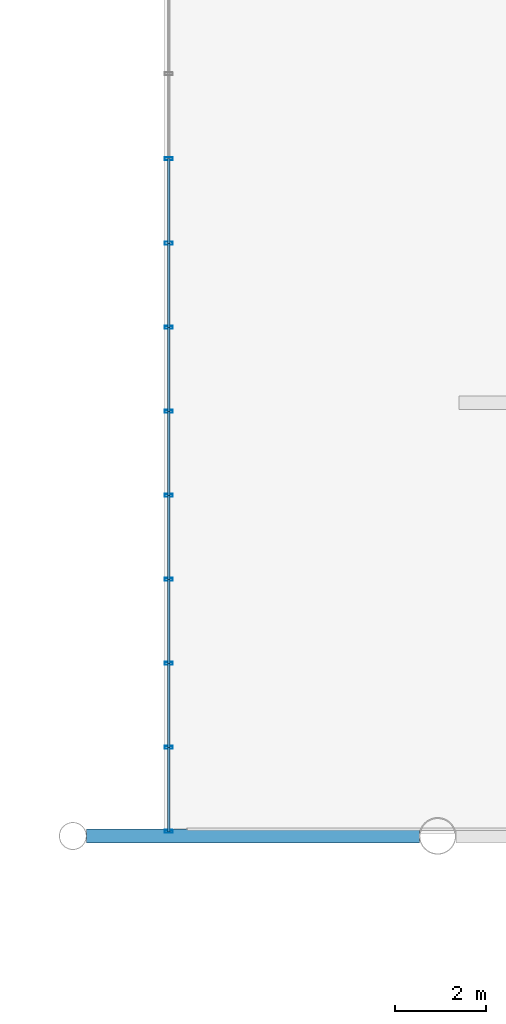
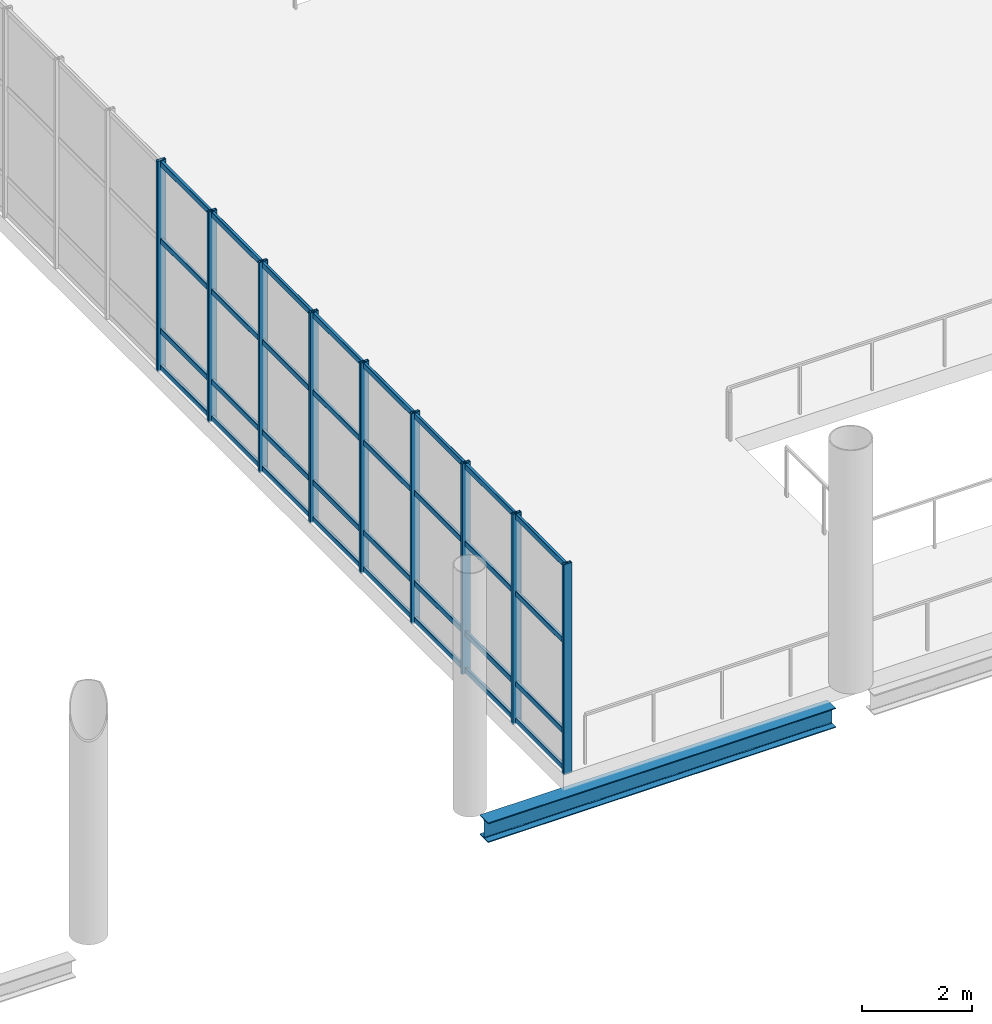
# One storey, part 62 of 176: 41 members, 1 beam, 2 elements without a shape of their own.
"""IFC4 building model written with IfcOpenShell, lengths in metres."""

import ifcopenshell
import ifcopenshell.guid

model = None  # the IFC model being written
_history = None  # IfcOwnerHistory: only IFC2X3 demands one
_inside = {}  # id of a spatial element -> (the spatial element, [elements in it])
_under = {}  # id of a project, library or spatial element -> (it, [spatial elements below it])
_declared = {}  # id of a project -> (the project, [libraries it declares])
_typed = {}  # id of a type object -> (the type object, [elements of that type])
_made_of = {}  # id of a material, layer set ... -> (it, [elements and type objects made of it])


def new_model(schema):
    """Start an empty IFC model of exactly this schema.

    Asked for "IFC4X3", IfcOpenShell would pick the latest addendum, in which some entities
    have other attributes; the version numbers below select the first issue.
    IFC2X3 requires an IfcOwnerHistory on every rooted entity: one is made here for all.
    """
    global model, _history
    if schema == "IFC4X3":
        model = ifcopenshell.file(schema_version=(4, 3, 0, 0))
    else:
        model = ifcopenshell.file(schema=schema)
    _inside.clear()
    _under.clear()
    _declared.clear()
    _typed.clear()
    _made_of.clear()
    _history = None
    if model.schema == "IFC2X3":
        org = make("IfcOrganization", Name="unknown")
        user = make(
            "IfcPersonAndOrganization",
            ThePerson=make("IfcPerson", FamilyName="unknown"),
            TheOrganization=org,
        )
        app = make(
            "IfcApplication",
            ApplicationDeveloper=org,
            Version="unknown",
            ApplicationFullName="unknown",
            ApplicationIdentifier="unknown",
        )
        _history = make(
            "IfcOwnerHistory",
            OwningUser=user,
            OwningApplication=app,
            ChangeAction="ADDED",
            CreationDate=0,
        )
    return model


def make(cls, **values):
    """One entity of the class cls with the attributes given. An attribute that is None is left unset."""
    return model.create_entity(
        cls, **{name: value for name, value in values.items() if value is not None}
    )


def rooted(cls, **values):
    """An entity with a GlobalId (a new one), such as an element, a storey or a relation."""
    return make(cls, GlobalId=ifcopenshell.guid.new(), OwnerHistory=_history, **values)


def si_unit(unit_type, name, prefix=None):
    """IfcSIUnit, for example si_unit("LENGTHUNIT", "METRE", prefix="MILLI")."""
    return make("IfcSIUnit", UnitType=unit_type, Prefix=prefix, Name=name)


def assignment(units):
    """IfcUnitAssignment: the units of a project."""
    return None if units is None else make("IfcUnitAssignment", Units=units)


def point(xyz):
    """IfcCartesianPoint."""
    return None if xyz is None else make("IfcCartesianPoint", Coordinates=xyz)


def direction(xyz):
    """IfcDirection."""
    return None if xyz is None else make("IfcDirection", DirectionRatios=xyz)


def frame(location, z_axis=None, x_axis=None):
    """IfcAxis2Placement3D, a coordinate frame: its origin and axes. An axis left out is left unset."""
    return make(
        "IfcAxis2Placement3D",
        Location=point(location),
        Axis=direction(z_axis),
        RefDirection=direction(x_axis),
    )


def frame_2d(location, x_axis=None):
    """IfcAxis2Placement2D, a coordinate frame in the plane: its origin and x axis."""
    return make(
        "IfcAxis2Placement2D", Location=point(location), RefDirection=direction(x_axis)
    )


def origin():
    """The frame at (0, 0, 0) with its axes left unset."""
    return frame((0.0, 0.0, 0.0))


def origin_2d():
    """The frame at (0, 0) in the plane with its x axis left unset."""
    return frame_2d((0.0, 0.0))


def place(relative_to, where):
    """IfcLocalPlacement: puts the frame where relative to a parent placement (None: the world)."""
    return make(
        "IfcLocalPlacement", PlacementRelTo=relative_to, RelativePlacement=where
    )


def context(
    kind, dimensions, precision=None, world=None, true_north=None, identifier=None
):
    """IfcGeometricRepresentationContext, for example the 3D "Model" context."""
    return make(
        "IfcGeometricRepresentationContext",
        ContextIdentifier=identifier,
        ContextType=kind,
        CoordinateSpaceDimension=dimensions,
        Precision=precision,
        WorldCoordinateSystem=world,
        TrueNorth=true_north,
    )


def subcontext(parent, identifier, kind, view, scale=None):
    """IfcGeometricRepresentationSubContext, for example "Body" below "Model"."""
    return make(
        "IfcGeometricRepresentationSubContext",
        ContextIdentifier=identifier,
        ContextType=kind,
        ParentContext=parent,
        TargetScale=scale,
        TargetView=view,
    )


def project(units=None, contexts=None):
    """IfcProject with its units and contexts."""
    return rooted(
        "IfcProject",
        Name="project",
        RepresentationContexts=contexts,
        UnitsInContext=assignment(units),
    )


def spatial(cls, under=None, at=None, **own):
    """A site, building, storey or space (cls), placed at a placement, below another one or the project."""
    s = rooted(cls, ObjectPlacement=at, **own)
    if under is not None:
        _under.setdefault(under.id(), (under, []))[1].append(s)
    return s


def profile(cls, at=None, kind="AREA", **sizes):
    """A parametric profile (cls). Its sizes go by their IFC names, for example OverallWidth=200.0."""
    return make(cls, ProfileType=kind, Position=at, **sizes)


def hollow_rectangle(**sizes):
    """IfcRectangleHollowProfileDef."""
    return profile("IfcRectangleHollowProfileDef", **sizes)


def i_section(**sizes):
    """IfcIShapeProfileDef."""
    return profile("IfcIShapeProfileDef", **sizes)


def extrude(swept, where, along, depth):
    """IfcExtrudedAreaSolid: the profile swept, set in the frame where, extruded along a direction by depth."""
    return make(
        "IfcExtrudedAreaSolid",
        SweptArea=swept,
        Position=where,
        ExtrudedDirection=direction(along),
        Depth=depth,
    )


def shape(context_of_items, identifier, shape_type, items):
    """IfcShapeRepresentation: the items that make up one representation, for example the "Body"."""
    return make(
        "IfcShapeRepresentation",
        ContextOfItems=context_of_items,
        RepresentationIdentifier=identifier,
        RepresentationType=shape_type,
        Items=items,
    )


def material(Name=None, Category=None):
    """IfcMaterial."""
    return make("IfcMaterial", Name=Name, Category=Category)


def layer(
    of_material, thickness, ventilated=None, Name=None, Category=None, Priority=None
):
    """IfcMaterialLayer: one layer of a wall or slab, of a material (None: an air gap)."""
    return make(
        "IfcMaterialLayer",
        Material=of_material,
        LayerThickness=thickness,
        IsVentilated=ventilated,
        Name=Name,
        Category=Category,
        Priority=Priority,
    )


def layer_set(layers, Name=None):
    """IfcMaterialLayerSet."""
    return make("IfcMaterialLayerSet", MaterialLayers=layers, LayerSetName=Name)


def material_profile(
    of_material, cross_section, Name=None, Category=None, Priority=None
):
    """IfcMaterialProfile: a cross section and its material."""
    return make(
        "IfcMaterialProfile",
        Name=Name,
        Material=of_material,
        Profile=cross_section,
        Priority=Priority,
        Category=Category,
    )


def profile_set(profiles, Name=None, composite=None):
    """IfcMaterialProfileSet."""
    return make(
        "IfcMaterialProfileSet",
        Name=Name,
        MaterialProfiles=profiles,
        CompositeProfile=composite,
    )


def made_of(thing, what):
    """Note that an element or type object is made of a material, layer set ...; save() writes the relation."""
    if what is not None:
        _made_of.setdefault(what.id(), (what, []))[1].append(thing)
    return thing


def type_object(cls, material=None, **own):
    """A type object (cls), such as IfcWallType, which elements share."""
    return made_of(rooted(cls, **own), material)


def element(
    cls,
    number,
    at=None,
    inside=None,
    cuts=None,
    type_object=None,
    material=None,
    context=None,
    identifier="Body",
    shape_type=None,
    held_by="IfcProductDefinitionShape",
    body=None,
    shapes=None,
    **own,
):
    """One element of the class cls, such as IfcWall. Its Tag is "e" and its number.

    at: its placement. inside: the storey or other place that contains it. cuts: it is an
    opening in that element (IfcRelVoidsElement). A single representation is given by context,
    identifier, shape_type and body (its items); several are given by shapes. held_by: the class
    of the entity that holds the representations. save() writes the other relations.
    """
    e = rooted(cls, Tag="e%d" % number, ObjectPlacement=at, **own)
    if body is not None:
        shapes = [shape(context, identifier, shape_type, body)]
    if shapes is not None:
        e.Representation = make(held_by, Representations=shapes)
    if inside is not None:
        _inside.setdefault(inside.id(), (inside, []))[1].append(e)
    if cuts is not None:
        rooted(
            "IfcRelVoidsElement", RelatingBuildingElement=cuts, RelatedOpeningElement=e
        )
    if type_object is not None:
        _typed.setdefault(type_object.id(), (type_object, []))[1].append(e)
    return made_of(e, material)


def aggregate(whole, parts):
    """IfcRelAggregates: a whole, such as a stair, and the parts it consists of."""
    return rooted("IfcRelAggregates", RelatingObject=whole, RelatedObjects=parts)


def save(model, path):
    """Write the relations noted so far, then the file.

    IfcRelAggregates (storeys below a building ...), IfcRelContainedInSpatialStructure (elements
    in a storey), IfcRelDefinesByType, IfcRelAssociatesMaterial and IfcRelDeclares: one each for
    every whole, place, type object, material and project.
    """
    for whole, parts in _under.values():
        aggregate(whole, parts)
    for where, things in _inside.values():
        rooted(
            "IfcRelContainedInSpatialStructure",
            RelatedElements=things,
            RelatingStructure=where,
        )
    for kind, things in _typed.values():
        rooted("IfcRelDefinesByType", RelatedObjects=things, RelatingType=kind)
    for what, things in _made_of.values():
        rooted("IfcRelAssociatesMaterial", RelatedObjects=things, RelatingMaterial=what)
    for by, libraries in _declared.values():
        rooted("IfcRelDeclares", RelatingContext=by, RelatedDefinitions=libraries)
    model.write(path)


model = new_model("IFC4")

# Units and contexts
model_context = context("Model", 3, precision=1e-05, world=origin(), true_north=direction((0.0, 1.0)))
body_context = subcontext(model_context, "Body", "Model", "MODEL_VIEW")
ifc_project = project(units=[si_unit("LENGTHUNIT", "METRE"), si_unit("AREAUNIT", "SQUARE_METRE"), si_unit("VOLUMEUNIT", "CUBIC_METRE"), si_unit("PLANEANGLEUNIT", "RADIAN"), si_unit("MASSUNIT", "GRAM", prefix="KILO")], contexts=[model_context])

# Site, building, storey
site_placement = place(None, origin())
site = spatial("IfcSite", under=ifc_project, at=site_placement, CompositionType="ELEMENT")
building_placement = place(site_placement, origin())
building = spatial("IfcBuilding", under=site, at=building_placement, Name="Khorjan Park Terminus", CompositionType="ELEMENT")
storey_placement = place(building_placement, frame((0.0, 0.0, 6.0)))
storey = spatial("IfcBuildingStorey", under=building, at=storey_placement, Name="L01", CompositionType="ELEMENT", Elevation=6.0)

# Beam
ifc_material_1 = material(Name="Steel S355", Category="steel")
ifc_material_profile_1 = material_profile(ifc_material_1, i_section(OverallWidth=0.3, OverallDepth=0.44, WebThickness=0.0115, FlangeThickness=0.021, FilletRadius=0.027, at=origin_2d()), Name="HEA 450")
ifc_profile_set_1 = profile_set([ifc_material_profile_1], Name="Steel S355")
beam_type = type_object("IfcBeamType", Name="BM-HEA450", PredefinedType="BEAM", material=ifc_profile_set_1)
beam_placement = place(storey_placement, frame((96.3, 102.0, -0.58), z_axis=(1.0, 0.0, 0.0), x_axis=(0.0, 1.0, 0.0)))
element("IfcBeam", 1, at=beam_placement, inside=storey, type_object=beam_type, Name="Primary floor girder SB-A45 (L01)", PredefinedType="BEAM", context=body_context, shape_type="SweptSolid", body=[
    extrude(i_section(OverallWidth=0.3, OverallDepth=0.44, WebThickness=0.0115, FlangeThickness=0.021, FilletRadius=0.027, at=origin_2d()), origin(), (0.0, 0.0, 1.0), 7.2985),
])

# Curtain wall, members
ifc_material_2 = material(Name="Anodized Bronze Aluminium", Category="aluminium")
ifc_layer = layer(ifc_material_2, 0.22)
ifc_layer_set = layer_set([ifc_layer], Name="Anodized Bronze Aluminium")
curtain_wall_type = type_object("IfcCurtainWallType", Name="CW-BRG-D", PredefinedType="NOTDEFINED", material=ifc_layer_set)
curtain_wall_1_placement = place(storey_placement, origin())
curtain_wall_1 = element("IfcCurtainWall", 2, at=curtain_wall_1_placement, inside=storey, type_object=curtain_wall_type, Name="Unitized curtain wall CW-D (CW-BRE-W-1)", PredefinedType="NOTDEFINED")
ifc_material_profile_2 = material_profile(ifc_material_2, hollow_rectangle(XDim=0.065, YDim=0.18, WallThickness=0.004, InnerFilletRadius=0.004, OuterFilletRadius=0.008, at=origin_2d()), Name="ALM 65x180x4")
ifc_profile_set_2 = profile_set([ifc_material_profile_2], Name="Anodized Bronze Aluminium")
member_type_1 = type_object("IfcMemberType", Name="ML-ALM-180", PredefinedType="MULLION", material=ifc_profile_set_2)
member_1_placement = place(storey_placement, frame((98.1, 115.0, -0.035), z_axis=(0.0, 0.0, 1.0), x_axis=(0.0, -1.0, 0.0)))
member_1 = element("IfcMember", 3, at=member_1_placement, type_object=member_type_1, Name="Curtain-wall mullion ML-18 (CW-BRE-W-1-0)", PredefinedType="MULLION", context=body_context, shape_type="SweptSolid", body=[
    extrude(hollow_rectangle(XDim=0.065, YDim=0.18, WallThickness=0.004, InnerFilletRadius=0.004, OuterFilletRadius=0.008, at=origin_2d()), origin(), (0.0, 0.0, 1.0), 4.67),
])
member_2_placement = place(storey_placement, frame((98.1, 113.1571, -0.035), z_axis=(0.0, 0.0, 1.0), x_axis=(0.0, -1.0, 0.0)))
member_2 = element("IfcMember", 4, at=member_2_placement, type_object=member_type_1, Name="Curtain-wall mullion ML-18 (CW-BRE-W-1-1)", PredefinedType="MULLION", context=body_context, shape_type="SweptSolid", body=[
    extrude(hollow_rectangle(XDim=0.065, YDim=0.18, WallThickness=0.004, InnerFilletRadius=0.004, OuterFilletRadius=0.008, at=origin_2d()), origin(), (0.0, 0.0, 1.0), 4.67),
])
member_3_placement = place(storey_placement, frame((98.1, 111.3143, -0.035), z_axis=(0.0, 0.0, 1.0), x_axis=(0.0, -1.0, 0.0)))
member_3 = element("IfcMember", 5, at=member_3_placement, type_object=member_type_1, Name="Curtain-wall mullion ML-18 (CW-BRE-W-1-2)", PredefinedType="MULLION", context=body_context, shape_type="SweptSolid", body=[
    extrude(hollow_rectangle(XDim=0.065, YDim=0.18, WallThickness=0.004, InnerFilletRadius=0.004, OuterFilletRadius=0.008, at=origin_2d()), origin(), (0.0, 0.0, 1.0), 4.67),
])
member_4_placement = place(storey_placement, frame((98.1, 109.4714, -0.035), z_axis=(0.0, 0.0, 1.0), x_axis=(0.0, -1.0, 0.0)))
member_4 = element("IfcMember", 6, at=member_4_placement, type_object=member_type_1, Name="Curtain-wall mullion ML-18 (CW-BRE-W-1-3)", PredefinedType="MULLION", context=body_context, shape_type="SweptSolid", body=[
    extrude(hollow_rectangle(XDim=0.065, YDim=0.18, WallThickness=0.004, InnerFilletRadius=0.004, OuterFilletRadius=0.008, at=origin_2d()), origin(), (0.0, 0.0, 1.0), 4.67),
])
member_5_placement = place(storey_placement, frame((98.1, 107.6286, -0.035), z_axis=(0.0, 0.0, 1.0), x_axis=(0.0, -1.0, 0.0)))
member_5 = element("IfcMember", 7, at=member_5_placement, type_object=member_type_1, Name="Curtain-wall mullion ML-18 (CW-BRE-W-1-4)", PredefinedType="MULLION", context=body_context, shape_type="SweptSolid", body=[
    extrude(hollow_rectangle(XDim=0.065, YDim=0.18, WallThickness=0.004, InnerFilletRadius=0.004, OuterFilletRadius=0.008, at=origin_2d()), origin(), (0.0, 0.0, 1.0), 4.67),
])
member_6_placement = place(storey_placement, frame((98.1, 105.7857, -0.035), z_axis=(0.0, 0.0, 1.0), x_axis=(0.0, -1.0, 0.0)))
member_6 = element("IfcMember", 8, at=member_6_placement, type_object=member_type_1, Name="Curtain-wall mullion ML-18 (CW-BRE-W-1-5)", PredefinedType="MULLION", context=body_context, shape_type="SweptSolid", body=[
    extrude(hollow_rectangle(XDim=0.065, YDim=0.18, WallThickness=0.004, InnerFilletRadius=0.004, OuterFilletRadius=0.008, at=origin_2d()), origin(), (0.0, 0.0, 1.0), 4.67),
])
member_7_placement = place(storey_placement, frame((98.1, 103.9429, -0.035), z_axis=(0.0, 0.0, 1.0), x_axis=(0.0, -1.0, 0.0)))
member_7 = element("IfcMember", 9, at=member_7_placement, type_object=member_type_1, Name="Curtain-wall mullion ML-18 (CW-BRE-W-1-6)", PredefinedType="MULLION", context=body_context, shape_type="SweptSolid", body=[
    extrude(hollow_rectangle(XDim=0.065, YDim=0.18, WallThickness=0.004, InnerFilletRadius=0.004, OuterFilletRadius=0.008, at=origin_2d()), origin(), (0.0, 0.0, 1.0), 4.67),
])
member_8_placement = place(storey_placement, frame((98.1, 102.1, -0.035), z_axis=(0.0, 0.0, 1.0), x_axis=(0.0, -1.0, 0.0)))
member_8 = element("IfcMember", 10, at=member_8_placement, type_object=member_type_1, Name="Curtain-wall mullion ML-18 (CW-BRE-W-1-7)", PredefinedType="MULLION", context=body_context, shape_type="SweptSolid", body=[
    extrude(hollow_rectangle(XDim=0.065, YDim=0.18, WallThickness=0.004, InnerFilletRadius=0.004, OuterFilletRadius=0.008, at=origin_2d()), origin(), (0.0, 0.0, 1.0), 4.67),
])

# Curtain wall, member
curtain_wall_2_placement = place(storey_placement, origin())
curtain_wall_2 = element("IfcCurtainWall", 11, at=curtain_wall_2_placement, inside=storey, type_object=curtain_wall_type, Name="Unitized curtain wall CW-D (CW-BRE-W-2)", PredefinedType="NOTDEFINED")
member_9_placement = place(storey_placement, frame((98.1, 116.8571, -0.035), z_axis=(0.0, 0.0, 1.0), x_axis=(0.0, -1.0, 0.0)))
member_9 = element("IfcMember", 12, at=member_9_placement, type_object=member_type_1, Name="Curtain-wall mullion ML-18 (CW-BRE-W-2-6)", PredefinedType="MULLION", context=body_context, shape_type="SweptSolid", body=[
    extrude(hollow_rectangle(XDim=0.065, YDim=0.18, WallThickness=0.004, InnerFilletRadius=0.004, OuterFilletRadius=0.008, at=origin_2d()), origin(), (0.0, 0.0, 1.0), 4.67),
])

# Member
ifc_material_profile_3 = material_profile(ifc_material_2, hollow_rectangle(XDim=0.06, YDim=0.12, WallThickness=0.004, InnerFilletRadius=0.004, OuterFilletRadius=0.008, at=origin_2d()), Name="ALT 60x120x4")
ifc_profile_set_3 = profile_set([ifc_material_profile_3], Name="Anodized Bronze Aluminium")
member_type_2 = type_object("IfcMemberType", Name="TR-ALT-120", PredefinedType="USERDEFINED", material=ifc_profile_set_3)
member_10_placement = place(storey_placement, frame((98.1, 115.0, 0.04), z_axis=(0.0, -1.0, 0.0), x_axis=(1.0, 0.0, 0.0)))
member_10 = element("IfcMember", 13, at=member_10_placement, type_object=member_type_2, Name="Curtain-wall transom TR-12 (CW-BRE-W-1-0-1)", ObjectType="TRANSOM", PredefinedType="USERDEFINED", context=body_context, shape_type="SweptSolid", body=[
    extrude(hollow_rectangle(XDim=0.06, YDim=0.12, WallThickness=0.004, InnerFilletRadius=0.004, OuterFilletRadius=0.008, at=origin_2d()), origin(), (0.0, 0.0, 1.0), 1.8429),
])

member_11_placement = place(storey_placement, frame((98.1, 115.0, 0.85), z_axis=(0.0, -1.0, 0.0), x_axis=(1.0, 0.0, 0.0)))
member_11 = element("IfcMember", 14, at=member_11_placement, type_object=member_type_2, Name="Curtain-wall transom TR-12 (CW-BRE-W-1-0-2)", ObjectType="TRANSOM", PredefinedType="USERDEFINED", context=body_context, shape_type="SweptSolid", body=[
    extrude(hollow_rectangle(XDim=0.06, YDim=0.12, WallThickness=0.004, InnerFilletRadius=0.004, OuterFilletRadius=0.008, at=origin_2d()), origin(), (0.0, 0.0, 1.0), 1.8429),
])

member_12_placement = place(storey_placement, frame((98.1, 115.0, 2.852), z_axis=(0.0, -1.0, 0.0), x_axis=(1.0, 0.0, 0.0)))
member_12 = element("IfcMember", 15, at=member_12_placement, type_object=member_type_2, Name="Curtain-wall transom TR-12 (CW-BRE-W-1-0-3)", ObjectType="TRANSOM", PredefinedType="USERDEFINED", context=body_context, shape_type="SweptSolid", body=[
    extrude(hollow_rectangle(XDim=0.06, YDim=0.12, WallThickness=0.004, InnerFilletRadius=0.004, OuterFilletRadius=0.008, at=origin_2d()), origin(), (0.0, 0.0, 1.0), 1.8429),
])

member_13_placement = place(storey_placement, frame((98.1, 115.0, 4.56), z_axis=(0.0, -1.0, 0.0), x_axis=(1.0, 0.0, 0.0)))
member_13 = element("IfcMember", 16, at=member_13_placement, type_object=member_type_2, Name="Curtain-wall transom TR-12 (CW-BRE-W-1-0-4)", ObjectType="TRANSOM", PredefinedType="USERDEFINED", context=body_context, shape_type="SweptSolid", body=[
    extrude(hollow_rectangle(XDim=0.06, YDim=0.12, WallThickness=0.004, InnerFilletRadius=0.004, OuterFilletRadius=0.008, at=origin_2d()), origin(), (0.0, 0.0, 1.0), 1.8429),
])

member_14_placement = place(storey_placement, frame((98.1, 113.1571, 0.04), z_axis=(0.0, -1.0, 0.0), x_axis=(1.0, 0.0, 0.0)))
member_14 = element("IfcMember", 17, at=member_14_placement, type_object=member_type_2, Name="Curtain-wall transom TR-12 (CW-BRE-W-1-1-1)", ObjectType="TRANSOM", PredefinedType="USERDEFINED", context=body_context, shape_type="SweptSolid", body=[
    extrude(hollow_rectangle(XDim=0.06, YDim=0.12, WallThickness=0.004, InnerFilletRadius=0.004, OuterFilletRadius=0.008, at=origin_2d()), origin(), (0.0, 0.0, 1.0), 1.8428),
])

member_15_placement = place(storey_placement, frame((98.1, 113.1571, 0.85), z_axis=(0.0, -1.0, 0.0), x_axis=(1.0, 0.0, 0.0)))
member_15 = element("IfcMember", 18, at=member_15_placement, type_object=member_type_2, Name="Curtain-wall transom TR-12 (CW-BRE-W-1-1-2)", ObjectType="TRANSOM", PredefinedType="USERDEFINED", context=body_context, shape_type="SweptSolid", body=[
    extrude(hollow_rectangle(XDim=0.06, YDim=0.12, WallThickness=0.004, InnerFilletRadius=0.004, OuterFilletRadius=0.008, at=origin_2d()), origin(), (0.0, 0.0, 1.0), 1.8428),
])

member_16_placement = place(storey_placement, frame((98.1, 113.1571, 2.852), z_axis=(0.0, -1.0, 0.0), x_axis=(1.0, 0.0, 0.0)))
member_16 = element("IfcMember", 19, at=member_16_placement, type_object=member_type_2, Name="Curtain-wall transom TR-12 (CW-BRE-W-1-1-3)", ObjectType="TRANSOM", PredefinedType="USERDEFINED", context=body_context, shape_type="SweptSolid", body=[
    extrude(hollow_rectangle(XDim=0.06, YDim=0.12, WallThickness=0.004, InnerFilletRadius=0.004, OuterFilletRadius=0.008, at=origin_2d()), origin(), (0.0, 0.0, 1.0), 1.8428),
])

member_17_placement = place(storey_placement, frame((98.1, 113.1571, 4.56), z_axis=(0.0, -1.0, 0.0), x_axis=(1.0, 0.0, 0.0)))
member_17 = element("IfcMember", 20, at=member_17_placement, type_object=member_type_2, Name="Curtain-wall transom TR-12 (CW-BRE-W-1-1-4)", ObjectType="TRANSOM", PredefinedType="USERDEFINED", context=body_context, shape_type="SweptSolid", body=[
    extrude(hollow_rectangle(XDim=0.06, YDim=0.12, WallThickness=0.004, InnerFilletRadius=0.004, OuterFilletRadius=0.008, at=origin_2d()), origin(), (0.0, 0.0, 1.0), 1.8428),
])

member_18_placement = place(storey_placement, frame((98.1, 111.3143, 0.04), z_axis=(0.0, -1.0, 0.0), x_axis=(1.0, 0.0, 0.0)))
member_18 = element("IfcMember", 21, at=member_18_placement, type_object=member_type_2, Name="Curtain-wall transom TR-12 (CW-BRE-W-1-2-1)", ObjectType="TRANSOM", PredefinedType="USERDEFINED", context=body_context, shape_type="SweptSolid", body=[
    extrude(hollow_rectangle(XDim=0.06, YDim=0.12, WallThickness=0.004, InnerFilletRadius=0.004, OuterFilletRadius=0.008, at=origin_2d()), origin(), (0.0, 0.0, 1.0), 1.8429),
])

member_19_placement = place(storey_placement, frame((98.1, 111.3143, 0.85), z_axis=(0.0, -1.0, 0.0), x_axis=(1.0, 0.0, 0.0)))
member_19 = element("IfcMember", 22, at=member_19_placement, type_object=member_type_2, Name="Curtain-wall transom TR-12 (CW-BRE-W-1-2-2)", ObjectType="TRANSOM", PredefinedType="USERDEFINED", context=body_context, shape_type="SweptSolid", body=[
    extrude(hollow_rectangle(XDim=0.06, YDim=0.12, WallThickness=0.004, InnerFilletRadius=0.004, OuterFilletRadius=0.008, at=origin_2d()), origin(), (0.0, 0.0, 1.0), 1.8429),
])

member_20_placement = place(storey_placement, frame((98.1, 111.3143, 2.852), z_axis=(0.0, -1.0, 0.0), x_axis=(1.0, 0.0, 0.0)))
member_20 = element("IfcMember", 23, at=member_20_placement, type_object=member_type_2, Name="Curtain-wall transom TR-12 (CW-BRE-W-1-2-3)", ObjectType="TRANSOM", PredefinedType="USERDEFINED", context=body_context, shape_type="SweptSolid", body=[
    extrude(hollow_rectangle(XDim=0.06, YDim=0.12, WallThickness=0.004, InnerFilletRadius=0.004, OuterFilletRadius=0.008, at=origin_2d()), origin(), (0.0, 0.0, 1.0), 1.8429),
])

member_21_placement = place(storey_placement, frame((98.1, 111.3143, 4.56), z_axis=(0.0, -1.0, 0.0), x_axis=(1.0, 0.0, 0.0)))
member_21 = element("IfcMember", 24, at=member_21_placement, type_object=member_type_2, Name="Curtain-wall transom TR-12 (CW-BRE-W-1-2-4)", ObjectType="TRANSOM", PredefinedType="USERDEFINED", context=body_context, shape_type="SweptSolid", body=[
    extrude(hollow_rectangle(XDim=0.06, YDim=0.12, WallThickness=0.004, InnerFilletRadius=0.004, OuterFilletRadius=0.008, at=origin_2d()), origin(), (0.0, 0.0, 1.0), 1.8429),
])

member_22_placement = place(storey_placement, frame((98.1, 109.4714, 0.04), z_axis=(0.0, -1.0, 0.0), x_axis=(1.0, 0.0, 0.0)))
member_22 = element("IfcMember", 25, at=member_22_placement, type_object=member_type_2, Name="Curtain-wall transom TR-12 (CW-BRE-W-1-3-1)", ObjectType="TRANSOM", PredefinedType="USERDEFINED", context=body_context, shape_type="SweptSolid", body=[
    extrude(hollow_rectangle(XDim=0.06, YDim=0.12, WallThickness=0.004, InnerFilletRadius=0.004, OuterFilletRadius=0.008, at=origin_2d()), origin(), (0.0, 0.0, 1.0), 1.8428),
])

member_23_placement = place(storey_placement, frame((98.1, 109.4714, 0.85), z_axis=(0.0, -1.0, 0.0), x_axis=(1.0, 0.0, 0.0)))
member_23 = element("IfcMember", 26, at=member_23_placement, type_object=member_type_2, Name="Curtain-wall transom TR-12 (CW-BRE-W-1-3-2)", ObjectType="TRANSOM", PredefinedType="USERDEFINED", context=body_context, shape_type="SweptSolid", body=[
    extrude(hollow_rectangle(XDim=0.06, YDim=0.12, WallThickness=0.004, InnerFilletRadius=0.004, OuterFilletRadius=0.008, at=origin_2d()), origin(), (0.0, 0.0, 1.0), 1.8428),
])

member_24_placement = place(storey_placement, frame((98.1, 109.4714, 2.852), z_axis=(0.0, -1.0, 0.0), x_axis=(1.0, 0.0, 0.0)))
member_24 = element("IfcMember", 27, at=member_24_placement, type_object=member_type_2, Name="Curtain-wall transom TR-12 (CW-BRE-W-1-3-3)", ObjectType="TRANSOM", PredefinedType="USERDEFINED", context=body_context, shape_type="SweptSolid", body=[
    extrude(hollow_rectangle(XDim=0.06, YDim=0.12, WallThickness=0.004, InnerFilletRadius=0.004, OuterFilletRadius=0.008, at=origin_2d()), origin(), (0.0, 0.0, 1.0), 1.8428),
])

member_25_placement = place(storey_placement, frame((98.1, 109.4714, 4.56), z_axis=(0.0, -1.0, 0.0), x_axis=(1.0, 0.0, 0.0)))
member_25 = element("IfcMember", 28, at=member_25_placement, type_object=member_type_2, Name="Curtain-wall transom TR-12 (CW-BRE-W-1-3-4)", ObjectType="TRANSOM", PredefinedType="USERDEFINED", context=body_context, shape_type="SweptSolid", body=[
    extrude(hollow_rectangle(XDim=0.06, YDim=0.12, WallThickness=0.004, InnerFilletRadius=0.004, OuterFilletRadius=0.008, at=origin_2d()), origin(), (0.0, 0.0, 1.0), 1.8428),
])

member_26_placement = place(storey_placement, frame((98.1, 107.6286, 0.04), z_axis=(0.0, -1.0, 0.0), x_axis=(1.0, 0.0, 0.0)))
member_26 = element("IfcMember", 29, at=member_26_placement, type_object=member_type_2, Name="Curtain-wall transom TR-12 (CW-BRE-W-1-4-1)", ObjectType="TRANSOM", PredefinedType="USERDEFINED", context=body_context, shape_type="SweptSolid", body=[
    extrude(hollow_rectangle(XDim=0.06, YDim=0.12, WallThickness=0.004, InnerFilletRadius=0.004, OuterFilletRadius=0.008, at=origin_2d()), origin(), (0.0, 0.0, 1.0), 1.8429),
])

member_27_placement = place(storey_placement, frame((98.1, 107.6286, 0.85), z_axis=(0.0, -1.0, 0.0), x_axis=(1.0, 0.0, 0.0)))
member_27 = element("IfcMember", 30, at=member_27_placement, type_object=member_type_2, Name="Curtain-wall transom TR-12 (CW-BRE-W-1-4-2)", ObjectType="TRANSOM", PredefinedType="USERDEFINED", context=body_context, shape_type="SweptSolid", body=[
    extrude(hollow_rectangle(XDim=0.06, YDim=0.12, WallThickness=0.004, InnerFilletRadius=0.004, OuterFilletRadius=0.008, at=origin_2d()), origin(), (0.0, 0.0, 1.0), 1.8429),
])

member_28_placement = place(storey_placement, frame((98.1, 107.6286, 2.852), z_axis=(0.0, -1.0, 0.0), x_axis=(1.0, 0.0, 0.0)))
member_28 = element("IfcMember", 31, at=member_28_placement, type_object=member_type_2, Name="Curtain-wall transom TR-12 (CW-BRE-W-1-4-3)", ObjectType="TRANSOM", PredefinedType="USERDEFINED", context=body_context, shape_type="SweptSolid", body=[
    extrude(hollow_rectangle(XDim=0.06, YDim=0.12, WallThickness=0.004, InnerFilletRadius=0.004, OuterFilletRadius=0.008, at=origin_2d()), origin(), (0.0, 0.0, 1.0), 1.8429),
])

member_29_placement = place(storey_placement, frame((98.1, 107.6286, 4.56), z_axis=(0.0, -1.0, 0.0), x_axis=(1.0, 0.0, 0.0)))
member_29 = element("IfcMember", 32, at=member_29_placement, type_object=member_type_2, Name="Curtain-wall transom TR-12 (CW-BRE-W-1-4-4)", ObjectType="TRANSOM", PredefinedType="USERDEFINED", context=body_context, shape_type="SweptSolid", body=[
    extrude(hollow_rectangle(XDim=0.06, YDim=0.12, WallThickness=0.004, InnerFilletRadius=0.004, OuterFilletRadius=0.008, at=origin_2d()), origin(), (0.0, 0.0, 1.0), 1.8429),
])

member_30_placement = place(storey_placement, frame((98.1, 105.7857, 0.04), z_axis=(0.0, -1.0, 0.0), x_axis=(1.0, 0.0, 0.0)))
member_30 = element("IfcMember", 33, at=member_30_placement, type_object=member_type_2, Name="Curtain-wall transom TR-12 (CW-BRE-W-1-5-1)", ObjectType="TRANSOM", PredefinedType="USERDEFINED", context=body_context, shape_type="SweptSolid", body=[
    extrude(hollow_rectangle(XDim=0.06, YDim=0.12, WallThickness=0.004, InnerFilletRadius=0.004, OuterFilletRadius=0.008, at=origin_2d()), origin(), (0.0, 0.0, 1.0), 1.8428),
])

member_31_placement = place(storey_placement, frame((98.1, 105.7857, 0.85), z_axis=(0.0, -1.0, 0.0), x_axis=(1.0, 0.0, 0.0)))
member_31 = element("IfcMember", 34, at=member_31_placement, type_object=member_type_2, Name="Curtain-wall transom TR-12 (CW-BRE-W-1-5-2)", ObjectType="TRANSOM", PredefinedType="USERDEFINED", context=body_context, shape_type="SweptSolid", body=[
    extrude(hollow_rectangle(XDim=0.06, YDim=0.12, WallThickness=0.004, InnerFilletRadius=0.004, OuterFilletRadius=0.008, at=origin_2d()), origin(), (0.0, 0.0, 1.0), 1.8428),
])

member_32_placement = place(storey_placement, frame((98.1, 105.7857, 2.852), z_axis=(0.0, -1.0, 0.0), x_axis=(1.0, 0.0, 0.0)))
member_32 = element("IfcMember", 35, at=member_32_placement, type_object=member_type_2, Name="Curtain-wall transom TR-12 (CW-BRE-W-1-5-3)", ObjectType="TRANSOM", PredefinedType="USERDEFINED", context=body_context, shape_type="SweptSolid", body=[
    extrude(hollow_rectangle(XDim=0.06, YDim=0.12, WallThickness=0.004, InnerFilletRadius=0.004, OuterFilletRadius=0.008, at=origin_2d()), origin(), (0.0, 0.0, 1.0), 1.8428),
])

member_33_placement = place(storey_placement, frame((98.1, 105.7857, 4.56), z_axis=(0.0, -1.0, 0.0), x_axis=(1.0, 0.0, 0.0)))
member_33 = element("IfcMember", 36, at=member_33_placement, type_object=member_type_2, Name="Curtain-wall transom TR-12 (CW-BRE-W-1-5-4)", ObjectType="TRANSOM", PredefinedType="USERDEFINED", context=body_context, shape_type="SweptSolid", body=[
    extrude(hollow_rectangle(XDim=0.06, YDim=0.12, WallThickness=0.004, InnerFilletRadius=0.004, OuterFilletRadius=0.008, at=origin_2d()), origin(), (0.0, 0.0, 1.0), 1.8428),
])

member_34_placement = place(storey_placement, frame((98.1, 103.9429, 0.04), z_axis=(0.0, -1.0, 0.0), x_axis=(1.0, 0.0, 0.0)))
member_34 = element("IfcMember", 37, at=member_34_placement, type_object=member_type_2, Name="Curtain-wall transom TR-12 (CW-BRE-W-1-6-1)", ObjectType="TRANSOM", PredefinedType="USERDEFINED", context=body_context, shape_type="SweptSolid", body=[
    extrude(hollow_rectangle(XDim=0.06, YDim=0.12, WallThickness=0.004, InnerFilletRadius=0.004, OuterFilletRadius=0.008, at=origin_2d()), origin(), (0.0, 0.0, 1.0), 1.8429),
])

member_35_placement = place(storey_placement, frame((98.1, 103.9429, 0.85), z_axis=(0.0, -1.0, 0.0), x_axis=(1.0, 0.0, 0.0)))
member_35 = element("IfcMember", 38, at=member_35_placement, type_object=member_type_2, Name="Curtain-wall transom TR-12 (CW-BRE-W-1-6-2)", ObjectType="TRANSOM", PredefinedType="USERDEFINED", context=body_context, shape_type="SweptSolid", body=[
    extrude(hollow_rectangle(XDim=0.06, YDim=0.12, WallThickness=0.004, InnerFilletRadius=0.004, OuterFilletRadius=0.008, at=origin_2d()), origin(), (0.0, 0.0, 1.0), 1.8429),
])

member_36_placement = place(storey_placement, frame((98.1, 103.9429, 2.852), z_axis=(0.0, -1.0, 0.0), x_axis=(1.0, 0.0, 0.0)))
member_36 = element("IfcMember", 39, at=member_36_placement, type_object=member_type_2, Name="Curtain-wall transom TR-12 (CW-BRE-W-1-6-3)", ObjectType="TRANSOM", PredefinedType="USERDEFINED", context=body_context, shape_type="SweptSolid", body=[
    extrude(hollow_rectangle(XDim=0.06, YDim=0.12, WallThickness=0.004, InnerFilletRadius=0.004, OuterFilletRadius=0.008, at=origin_2d()), origin(), (0.0, 0.0, 1.0), 1.8429),
])

member_37_placement = place(storey_placement, frame((98.1, 103.9429, 4.56), z_axis=(0.0, -1.0, 0.0), x_axis=(1.0, 0.0, 0.0)))
member_37 = element("IfcMember", 40, at=member_37_placement, type_object=member_type_2, Name="Curtain-wall transom TR-12 (CW-BRE-W-1-6-4)", ObjectType="TRANSOM", PredefinedType="USERDEFINED", context=body_context, shape_type="SweptSolid", body=[
    extrude(hollow_rectangle(XDim=0.06, YDim=0.12, WallThickness=0.004, InnerFilletRadius=0.004, OuterFilletRadius=0.008, at=origin_2d()), origin(), (0.0, 0.0, 1.0), 1.8429),
])

aggregate(curtain_wall_1, [member_1, member_2, member_3, member_4, member_5, member_6, member_7, member_8, member_10, member_11, member_12, member_13, member_14, member_15, member_16, member_17, member_18, member_19, member_20, member_21, member_22, member_23, member_24, member_25, member_26, member_27, member_28, member_29, member_30, member_31, member_32, member_33, member_34, member_35, member_36, member_37])

member_38_placement = place(storey_placement, frame((98.1, 116.8571, 0.04), z_axis=(0.0, -1.0, 0.0), x_axis=(1.0, 0.0, 0.0)))
member_38 = element("IfcMember", 41, at=member_38_placement, type_object=member_type_2, Name="Curtain-wall transom TR-12 (CW-BRE-W-2-6-1)", ObjectType="TRANSOM", PredefinedType="USERDEFINED", context=body_context, shape_type="SweptSolid", body=[
    extrude(hollow_rectangle(XDim=0.06, YDim=0.12, WallThickness=0.004, InnerFilletRadius=0.004, OuterFilletRadius=0.008, at=origin_2d()), origin(), (0.0, 0.0, 1.0), 1.8571),
])

member_39_placement = place(storey_placement, frame((98.1, 116.8571, 0.85), z_axis=(0.0, -1.0, 0.0), x_axis=(1.0, 0.0, 0.0)))
member_39 = element("IfcMember", 42, at=member_39_placement, type_object=member_type_2, Name="Curtain-wall transom TR-12 (CW-BRE-W-2-6-2)", ObjectType="TRANSOM", PredefinedType="USERDEFINED", context=body_context, shape_type="SweptSolid", body=[
    extrude(hollow_rectangle(XDim=0.06, YDim=0.12, WallThickness=0.004, InnerFilletRadius=0.004, OuterFilletRadius=0.008, at=origin_2d()), origin(), (0.0, 0.0, 1.0), 1.8571),
])

member_40_placement = place(storey_placement, frame((98.1, 116.8571, 2.852), z_axis=(0.0, -1.0, 0.0), x_axis=(1.0, 0.0, 0.0)))
member_40 = element("IfcMember", 43, at=member_40_placement, type_object=member_type_2, Name="Curtain-wall transom TR-12 (CW-BRE-W-2-6-3)", ObjectType="TRANSOM", PredefinedType="USERDEFINED", context=body_context, shape_type="SweptSolid", body=[
    extrude(hollow_rectangle(XDim=0.06, YDim=0.12, WallThickness=0.004, InnerFilletRadius=0.004, OuterFilletRadius=0.008, at=origin_2d()), origin(), (0.0, 0.0, 1.0), 1.8571),
])

member_41_placement = place(storey_placement, frame((98.1, 116.8571, 4.56), z_axis=(0.0, -1.0, 0.0), x_axis=(1.0, 0.0, 0.0)))
member_41 = element("IfcMember", 44, at=member_41_placement, type_object=member_type_2, Name="Curtain-wall transom TR-12 (CW-BRE-W-2-6-4)", ObjectType="TRANSOM", PredefinedType="USERDEFINED", context=body_context, shape_type="SweptSolid", body=[
    extrude(hollow_rectangle(XDim=0.06, YDim=0.12, WallThickness=0.004, InnerFilletRadius=0.004, OuterFilletRadius=0.008, at=origin_2d()), origin(), (0.0, 0.0, 1.0), 1.8571),
])

aggregate(curtain_wall_2, [member_9, member_38, member_39, member_40, member_41])

save(model, "model.ifc")
